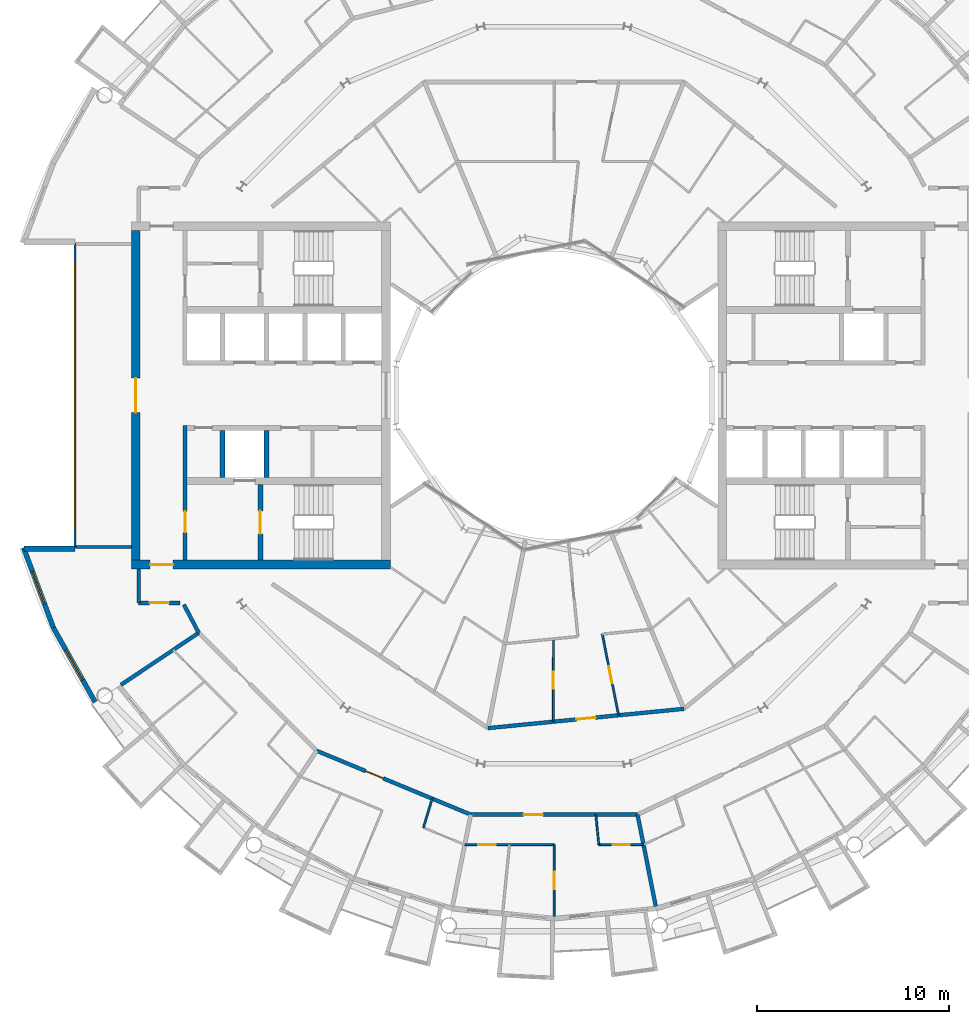
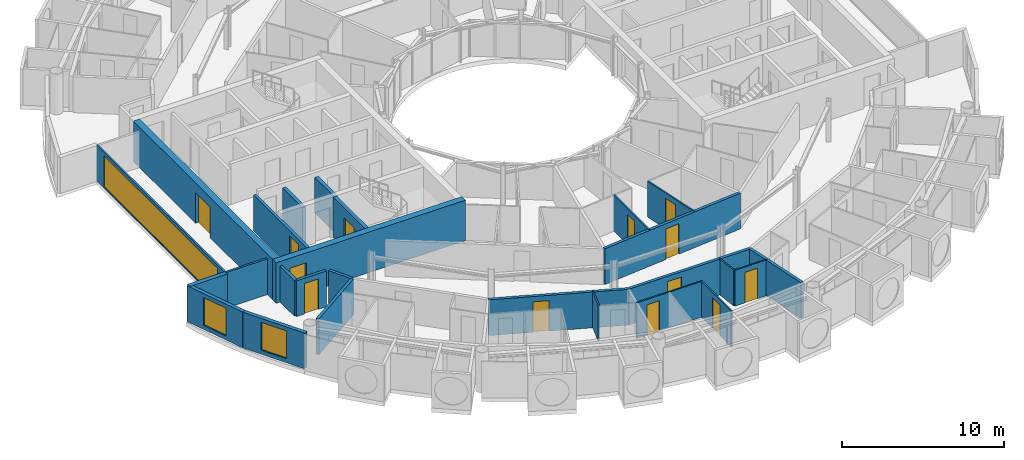
# One storey, part 16 of 29: 26 walls, 13 doors, 3 windows, 16 openings.
"""IFC4 building model written with IfcOpenShell, lengths in metres."""

from ifc_helpers import new_model, si_unit, direction, frame, frame_2d, origin, place, context, subcontext, project, spatial, rectangle, extrude, material, layer, layer_set, type_object, element, fill, save


model = new_model("IFC4")

# Units and contexts
model_context = context("Model", 3, precision=1e-05, world=origin(), true_north=direction((0.0, 1.0)))
body_context = subcontext(model_context, "Body", "Model", "MODEL_VIEW")
ifc_project = project(units=[si_unit("LENGTHUNIT", "METRE"), si_unit("AREAUNIT", "SQUARE_METRE"), si_unit("VOLUMEUNIT", "CUBIC_METRE"), si_unit("PLANEANGLEUNIT", "RADIAN"), si_unit("MASSUNIT", "GRAM", prefix="KILO")], contexts=[model_context])

# Site, building, storey
site_placement = place(None, origin())
site = spatial("IfcSite", under=ifc_project, at=site_placement, CompositionType="ELEMENT")
building_placement = place(site_placement, origin())
building = spatial("IfcBuilding", under=site, at=building_placement, Name="Maasbend Ring Residences", CompositionType="ELEMENT")
storey_placement = place(building_placement, frame((0.0, 0.0, 215.75)))
storey = spatial("IfcBuildingStorey", under=building, at=storey_placement, Name="L62", CompositionType="ELEMENT", Elevation=215.75)

# Wall, opening, door
ifc_material_1 = material(Name="Concrete C50/60", Category="concrete")
ifc_layer_1 = layer(ifc_material_1, 0.25)
ifc_layer_set_1 = layer_set([ifc_layer_1], Name="Concrete C50/60")
wall_type_1 = type_object("IfcWallType", Name="CORE WALL 250 C50/60", PredefinedType="SHEAR", material=ifc_layer_set_1)
wall_1_placement = place(storey_placement, frame((-15.324951171875, -4.64990234375, 0.0), z_axis=(0.0, 0.0, 1.0), x_axis=(0.0, -1.0, 0.0)))
wall_1 = element("IfcWall", 1, at=wall_1_placement, inside=storey, type_object=wall_type_1, Name="L62 core W wall STEN", PredefinedType="SHEAR", context=body_context, shape_type="SweptSolid", body=[
    extrude(rectangle(XDim=3.9501953125, YDim=0.25, at=frame_2d((1.97509765625, 0.0))), origin(), (0.0, 0.0, 1.0), 3.050048828125),
])
opening_1_placement = place(wall_1_placement, frame((1.375, 0.0, 0.0)))
opening_1 = element("IfcOpeningElement", 2, at=opening_1_placement, cuts=wall_1, Name="Opening D-W6210", PredefinedType="OPENING", context=body_context, shape_type="SweptSolid", body=[
    extrude(rectangle(XDim=1.199951171875, YDim=2.300048828125, at=frame_2d((0.60009765625, 1.14990234375))), frame((0.0, 0.135009765625, 0.0), z_axis=(0.0, -1.0, 0.0), x_axis=(1.0, 0.0, 0.0)), (0.0, 0.0, 1.0), 0.27001953125),
])
ifc_material_2 = material(Name="Steel, powder coated", Category="steel")
door_type_1 = type_object("IfcDoorType", Name="STAIR DOOR 1200 X 2300 FD60", OperationType="NOTDEFINED", PredefinedType="DOOR", material=ifc_material_2)
door_1_placement = place(opening_1_placement, origin())
door_1 = element("IfcDoor", 3, at=door_1_placement, inside=storey, type_object=door_type_1, Name="Stair door ST-W L62", OperationType="SINGLE_SWING_LEFT", OverallHeight=2.300048828125, OverallWidth=1.199951171875, PredefinedType="DOOR", context=body_context, shape_type="SweptSolid", body=[
    extrude(rectangle(XDim=1.199951171875, YDim=2.300048828125, at=frame_2d((0.60009765625, 1.14990234375))), frame((0.0, 0.02490234375, 0.0), z_axis=(0.0, -1.0, 0.0), x_axis=(1.0, 0.0, 0.0)), (0.0, 0.0, 1.0), 0.050048828125),
])
fill(opening_1, door_1)

ifc_material_3 = material(Name="Concrete C50/60", Category="concrete")
ifc_layer_2 = layer(ifc_material_3, 0.449951171875)
ifc_layer_set_2 = layer_set([ifc_layer_2], Name="Concrete C50/60")
wall_type_2 = type_object("IfcWallType", Name="CORE WALL 450 C50/60", PredefinedType="SHEAR", material=ifc_layer_set_2)
wall_2_placement = place(storey_placement, frame((-22.050048828125, -8.824951171875, 0.0), z_axis=(0.0, 0.0, 1.0), x_axis=(1.0, 0.0, 0.0)))
wall_2 = element("IfcWall", 4, at=wall_2_placement, inside=storey, type_object=wall_type_2, Name="L62 core W wall PN", PredefinedType="SHEAR", context=body_context, shape_type="SweptSolid", body=[
    extrude(rectangle(XDim=13.5, YDim=0.449951171875, at=frame_2d((6.75, 0.0))), origin(), (0.0, 0.0, 1.0), 3.050048828125),
])
opening_2_placement = place(wall_2_placement, frame((0.97509765625, 0.0, 0.0)))
opening_2 = element("IfcOpeningElement", 5, at=opening_2_placement, cuts=wall_2, Name="Opening D-W6214", PredefinedType="OPENING", context=body_context, shape_type="SweptSolid", body=[
    extrude(rectangle(XDim=1.199951171875, YDim=2.300048828125, at=frame_2d((0.60009765625, 1.14990234375))), frame((0.0, 0.23486328125, 0.0), z_axis=(0.0, -1.0, 0.0), x_axis=(1.0, 0.0, 0.0)), (0.0, 0.0, 1.0), 0.469970703125),
])
ifc_material_4 = material(Name="Steel, powder coated", Category="steel")
door_type_2 = type_object("IfcDoorType", Name="CORRIDOR DOOR 1200 X 2300 FD30S", OperationType="NOTDEFINED", PredefinedType="DOOR", material=ifc_material_4)
door_2_placement = place(opening_2_placement, origin())
door_2 = element("IfcDoor", 6, at=door_2_placement, inside=storey, type_object=door_type_2, Name="Corridor door L62", OperationType="SINGLE_SWING_RIGHT", OverallHeight=2.300048828125, OverallWidth=1.199951171875, PredefinedType="DOOR", context=body_context, shape_type="SweptSolid", body=[
    extrude(rectangle(XDim=1.199951171875, YDim=2.300048828125, at=frame_2d((0.60009765625, 1.14990234375))), frame((0.0, 0.02490234375, 0.0), z_axis=(0.0, -1.0, 0.0), x_axis=(1.0, 0.0, 0.0)), (0.0, 0.0, 1.0), 0.050048828125),
])
fill(opening_2, door_2)

wall_3_placement = place(storey_placement, frame((-21.824951171875, -8.60009765625, 0.0), z_axis=(0.0, 0.0, 1.0), x_axis=(0.0, 1.0, 0.0)))
wall_3 = element("IfcWall", 7, at=wall_3_placement, inside=storey, type_object=wall_type_2, Name="L62 core W wall POUT", PredefinedType="SHEAR", context=body_context, shape_type="SweptSolid", body=[
    extrude(rectangle(XDim=17.2001953125, YDim=0.449951171875, at=frame_2d((8.60009765625, 0.0))), origin(), (0.0, 0.0, 1.0), 3.050048828125),
])
opening_3_placement = place(wall_3_placement, frame((7.699951171875, 0.0, 0.0)))
opening_3 = element("IfcOpeningElement", 8, at=opening_3_placement, cuts=wall_3, Name="Opening D-W6216", PredefinedType="OPENING", context=body_context, shape_type="SweptSolid", body=[
    extrude(rectangle(XDim=1.800048828125, YDim=2.300048828125, at=frame_2d((0.89990234375, 1.14990234375))), frame((0.0, 0.23486328125, 0.0), z_axis=(0.0, -1.0, 0.0), x_axis=(1.0, 0.0, 0.0)), (0.0, 0.0, 1.0), 0.469970703125),
])
ifc_material_5 = material(Name="Aluminium frame, clear glass", Category="aluminium")
door_type_3 = type_object("IfcDoorType", Name="ENTRANCE DOOR 1800 X 2300 FD60", OperationType="NOTDEFINED", PredefinedType="DOOR", material=ifc_material_5)
door_3_placement = place(opening_3_placement, origin())
door_3 = element("IfcDoor", 9, at=door_3_placement, inside=storey, type_object=door_type_3, Name="Lobby glazed door L62", OperationType="SINGLE_SWING_LEFT", OverallHeight=2.300048828125, OverallWidth=1.800048828125, PredefinedType="DOOR", context=body_context, shape_type="SweptSolid", body=[
    extrude(rectangle(XDim=1.800048828125, YDim=2.300048828125, at=frame_2d((0.89990234375, 1.14990234375))), frame((0.0, 0.02490234375, 0.0), z_axis=(0.0, -1.0, 0.0), x_axis=(1.0, 0.0, 0.0)), (0.0, 0.0, 1.0), 0.050048828125),
])
fill(opening_3, door_3)

# Wall
ifc_material_6 = material(Name="Concrete C30/37", Category="concrete")
ifc_layer_3 = layer(ifc_material_6, 0.199951171875)
ifc_layer_set_3 = layer_set([ifc_layer_3], Name="Concrete C30/37")
wall_type_3 = type_object("IfcWallType", Name="CORRIDOR WALL 200 CONCRETE", PredefinedType="PARTITIONING", material=ifc_layer_set_3)
wall_4_placement = place(storey_placement, frame((-19.31689453125, -10.9150390625, 0.0), z_axis=(0.0, 0.0, 1.0), x_axis=(0.465359652486, -0.885121683068, 0.0)))
element("IfcWall", 10, at=wall_4_placement, inside=storey, type_object=wall_type_3, Name="U-L62-w011", PredefinedType="PARTITIONING", context=body_context, shape_type="SweptSolid", body=[
    extrude(rectangle(XDim=1.665283203125, YDim=0.199951171875, at=frame_2d((0.83251953125, 0.0))), origin(), (0.0, 0.0, 1.0), 2.699951171875),
])

# Wall, opening, door
wall_5_placement = place(storey_placement, frame((-12.388916015625, -18.5419921875, 0.0), z_axis=(0.0, 0.0, 1.0), x_axis=(0.923867858178, -0.382711615483, 0.0)))
wall_5 = element("IfcWall", 11, at=wall_5_placement, inside=storey, type_object=wall_type_3, Name="U-L62-w015", PredefinedType="PARTITIONING", context=body_context, shape_type="SweptSolid", body=[
    extrude(rectangle(XDim=8.708984375, YDim=0.199951171875, at=frame_2d((4.3544921875, 0.0))), origin(), (0.0, 0.0, 1.0), 2.699951171875),
])
opening_4_placement = place(wall_5_placement, frame((2.762939453125, 0.0, 0.0)))
opening_4 = element("IfcOpeningElement", 12, at=opening_4_placement, cuts=wall_5, Name="Opening D-6239", PredefinedType="OPENING", context=body_context, shape_type="SweptSolid", body=[
    extrude(rectangle(XDim=1.0, YDim=2.300048828125, at=frame_2d((0.5, 1.14990234375))), frame((0.0, 0.10986328125, 0.0), z_axis=(0.0, -1.0, 0.0), x_axis=(1.0, 0.0, 0.0)), (0.0, 0.0, 1.0), 0.219970703125),
])
ifc_material_7 = material(Name="Timber, fire-rated, painted", Category="wood")
door_type_4 = type_object("IfcDoorType", Name="FLAT ENTRANCE DOOR 1000 X 2300 FIRE-RATED", OperationType="NOTDEFINED", PredefinedType="DOOR", material=ifc_material_7)
door_4_placement = place(opening_4_placement, origin())
door_4 = element("IfcDoor", 13, at=door_4_placement, inside=storey, type_object=door_type_4, Name="D-6239", OperationType="SINGLE_SWING_LEFT", OverallHeight=2.300048828125, OverallWidth=1.0, PredefinedType="DOOR", context=body_context, shape_type="SweptSolid", body=[
    extrude(rectangle(XDim=1.0, YDim=2.300048828125, at=frame_2d((0.5, 1.14990234375))), frame((0.0, 0.02490234375, 0.0), z_axis=(0.0, -1.0, 0.0), x_axis=(1.0, 0.0, 0.0)), (0.0, 0.0, 1.0), 0.050048828125),
])
fill(opening_4, door_4)

wall_6_placement = place(storey_placement, frame((-4.35107421875, -21.8720703125, 0.0), z_axis=(0.0, 0.0, 1.0), x_axis=(1.0, 0.0, 0.0)))
wall_6 = element("IfcWall", 14, at=wall_6_placement, inside=storey, type_object=wall_type_3, Name="U-L62-w016", PredefinedType="PARTITIONING", context=body_context, shape_type="SweptSolid", body=[
    extrude(rectangle(XDim=8.7021484375, YDim=0.199951171875, at=frame_2d((4.35107421875, 0.0))), origin(), (0.0, 0.0, 1.0), 2.699951171875),
])
opening_5_placement = place(wall_6_placement, frame((2.762939453125, 0.0, 0.0)))
opening_5 = element("IfcOpeningElement", 15, at=opening_5_placement, cuts=wall_6, Name="Opening D-6243", PredefinedType="OPENING", context=body_context, shape_type="SweptSolid", body=[
    extrude(rectangle(XDim=1.0, YDim=2.300048828125, at=frame_2d((0.5, 1.14990234375))), frame((0.0, 0.10986328125, 0.0), z_axis=(0.0, -1.0, 0.0), x_axis=(1.0, 0.0, 0.0)), (0.0, 0.0, 1.0), 0.219970703125),
])
door_5_placement = place(opening_5_placement, origin())
door_5 = element("IfcDoor", 16, at=door_5_placement, inside=storey, type_object=door_type_4, Name="D-6243", OperationType="SINGLE_SWING_LEFT", OverallHeight=2.300048828125, OverallWidth=1.0, PredefinedType="DOOR", context=body_context, shape_type="SweptSolid", body=[
    extrude(rectangle(XDim=1.0, YDim=2.300048828125, at=frame_2d((0.5, 1.14990234375))), frame((0.0, 0.02490234375, 0.0), z_axis=(0.0, -1.0, 0.0), x_axis=(1.0, 0.0, 0.0)), (0.0, 0.0, 1.0), 0.050048828125),
])
fill(opening_5, door_5)

wall_7_placement = place(storey_placement, frame((-3.4541015625, -17.360107421875, 0.0), z_axis=(0.0, 0.0, 1.0), x_axis=(0.995189328429, 0.097970406658, 0.0)))
wall_7 = element("IfcWall", 17, at=wall_7_placement, inside=storey, type_object=wall_type_3, Name="U-L62-w020", PredefinedType="PARTITIONING", context=body_context, shape_type="SweptSolid", body=[
    extrude(rectangle(XDim=10.279541015625, YDim=0.199951171875, at=frame_2d((5.1396484375, 0.0))), origin(), (0.0, 0.0, 1.0), 2.699951171875),
])
opening_6_placement = place(wall_7_placement, frame((4.638916015625, 0.0, 0.0)))
opening_6 = element("IfcOpeningElement", 18, at=opening_6_placement, cuts=wall_7, Name="Opening D-6260", PredefinedType="OPENING", context=body_context, shape_type="SweptSolid", body=[
    extrude(rectangle(XDim=1.0, YDim=2.300048828125, at=frame_2d((0.5, 1.14990234375))), frame((0.0, 0.10986328125, 0.0), z_axis=(0.0, -1.0, 0.0), x_axis=(1.0, 0.0, 0.0)), (0.0, 0.0, 1.0), 0.219970703125),
])
door_6_placement = place(opening_6_placement, origin())
door_6 = element("IfcDoor", 19, at=door_6_placement, inside=storey, type_object=door_type_4, Name="D-6260", OperationType="SINGLE_SWING_LEFT", OverallHeight=2.300048828125, OverallWidth=1.0, PredefinedType="DOOR", context=body_context, shape_type="SweptSolid", body=[
    extrude(rectangle(XDim=1.0, YDim=2.300048828125, at=frame_2d((0.5, 1.14990234375))), frame((0.0, 0.02490234375, 0.0), z_axis=(0.0, -1.0, 0.0), x_axis=(1.0, 0.0, 0.0)), (0.0, 0.0, 1.0), 0.050048828125),
])
fill(opening_6, door_6)

wall_8_placement = place(storey_placement, frame((-21.675048828125, -10.824951171875, 0.0), z_axis=(0.0, 0.0, 1.0), x_axis=(1.0, 0.0, 0.0)))
wall_8 = element("IfcWall", 20, at=wall_8_placement, inside=storey, type_object=wall_type_3, Name="U-L62-w029", PredefinedType="PARTITIONING", context=body_context, shape_type="SweptSolid", body=[
    extrude(rectangle(XDim=2.152099609375, YDim=0.199951171875, at=frame_2d((1.076171875, 0.0))), origin(), (0.0, 0.0, 1.0), 2.699951171875),
])
opening_7_placement = place(wall_8_placement, frame((0.575927734375, 0.0, 0.0)))
opening_7 = element("IfcOpeningElement", 21, at=opening_7_placement, cuts=wall_8, Name="Opening D-6268", PredefinedType="OPENING", context=body_context, shape_type="SweptSolid", body=[
    extrude(rectangle(XDim=1.0, YDim=2.300048828125, at=frame_2d((0.5, 1.14990234375))), frame((0.0, 0.10986328125, 0.0), z_axis=(0.0, -1.0, 0.0), x_axis=(1.0, 0.0, 0.0)), (0.0, 0.0, 1.0), 0.219970703125),
])
ifc_material_8 = material(Name="Timber, painted", Category="wood")
door_type_5 = type_object("IfcDoorType", Name="ROOM DOOR 1000 X 2300", OperationType="NOTDEFINED", PredefinedType="DOOR", material=ifc_material_8)
door_7_placement = place(opening_7_placement, origin())
door_7 = element("IfcDoor", 22, at=door_7_placement, inside=storey, type_object=door_type_5, Name="D-6268", OperationType="SINGLE_SWING_LEFT", OverallHeight=2.300048828125, OverallWidth=1.0, PredefinedType="DOOR", context=body_context, shape_type="SweptSolid", body=[
    extrude(rectangle(XDim=1.0, YDim=2.300048828125, at=frame_2d((0.5, 1.14990234375))), frame((0.0, 0.02490234375, 0.0), z_axis=(0.0, -1.0, 0.0), x_axis=(1.0, 0.0, 0.0)), (0.0, 0.0, 1.0), 0.050048828125),
])
fill(opening_7, door_7)

# Wall
wall_9_placement = place(storey_placement, frame((-21.675048828125, -10.824951171875, 0.0), z_axis=(0.0, 0.0, 1.0), x_axis=(0.0, 1.0, 0.0)))
element("IfcWall", 23, at=wall_9_placement, inside=storey, type_object=wall_type_3, Name="U-L62-w112", PredefinedType="PARTITIONING", context=body_context, shape_type="SweptSolid", body=[
    extrude(rectangle(XDim=1.77490234375, YDim=0.199951171875, at=frame_2d((0.887451171875, 0.0))), origin(), (0.0, 0.0, 1.0), 2.699951171875),
])

# Wall, opening, window
ifc_material_9 = material(Name="Aluminium clad insulated panel", Category="aluminium")
ifc_layer_4 = layer(ifc_material_9, 0.25)
ifc_layer_set_4 = layer_set([ifc_layer_4], Name="EW-HORN")
wall_type_4 = type_object("IfcWallType", Name="EW-HORN", PredefinedType="SOLIDWALL", material=ifc_layer_set_4)
wall_10_placement = place(storey_placement, frame((-27.681884765625, -7.945068359375, 0.0), z_axis=(0.0, 0.0, 1.0), x_axis=(0.349247811493, -0.937030397675, 0.0)))
wall_10 = element("IfcWall", 24, at=wall_10_placement, inside=storey, type_object=wall_type_4, Name="Horn wall 3.1", PredefinedType="SOLIDWALL", context=body_context, shape_type="SweptSolid", body=[
    extrude(rectangle(XDim=4.4521484375, YDim=0.25, at=frame_2d((2.22607421875, 0.0))), origin(), (0.0, 0.0, 1.0), 2.699951171875),
])
opening_8_placement = place(wall_10_placement, frame((1.32666015625, 0.0, 0.300048828125)))
opening_8 = element("IfcOpeningElement", 25, at=opening_8_placement, cuts=wall_10, Name="Opening W-BX", PredefinedType="OPENING", context=body_context, shape_type="SweptSolid", body=[
    extrude(rectangle(XDim=1.800048828125, YDim=2.10009765625, at=frame_2d((0.89990234375, 1.050048828125))), frame((0.0, 0.135009765625, 0.0), z_axis=(0.0, -1.0, 0.0), x_axis=(1.0, 0.0, 0.0)), (0.0, 0.0, 1.0), 0.27001953125),
])
ifc_material_10 = material(Name="Aluminium and clear glass", Category="aluminium")
window_type_1 = type_object("IfcWindowType", Name="W-BX", PartitioningType="DOUBLE_PANEL_VERTICAL", PredefinedType="WINDOW", material=ifc_material_10)
window_1_placement = place(opening_8_placement, origin())
window_1 = element("IfcWindow", 26, at=window_1_placement, inside=storey, type_object=window_type_1, Name="Horn window 3.1", OverallHeight=2.10009765625, OverallWidth=1.800048828125, PartitioningType="SINGLE_PANEL", PredefinedType="WINDOW", context=body_context, shape_type="SweptSolid", body=[
    extrude(rectangle(XDim=1.800048828125, YDim=2.10009765625, at=frame_2d((0.89990234375, 1.050048828125))), frame((0.0, 0.030029296875, 0.0), z_axis=(0.0, -1.0, 0.0), x_axis=(1.0, 0.0, 0.0)), (0.0, 0.0, 1.0), 0.06005859375),
])
fill(opening_8, window_1)

wall_11_placement = place(storey_placement, frame((-26.126953125, -12.116943359375, 0.0), z_axis=(0.0, 0.0, 1.0), x_axis=(0.489696356642, -0.871893042919, 0.0)))
wall_11 = element("IfcWall", 27, at=wall_11_placement, inside=storey, type_object=wall_type_4, Name="Horn wall 3.2", PredefinedType="SOLIDWALL", context=body_context, shape_type="SweptSolid", body=[
    extrude(rectangle(XDim=4.45361328125, YDim=0.25, at=frame_2d((2.226806640625, 0.0))), origin(), (0.0, 0.0, 1.0), 2.699951171875),
])
opening_9_placement = place(wall_11_placement, frame((1.32666015625, 0.0, 0.300048828125)))
opening_9 = element("IfcOpeningElement", 28, at=opening_9_placement, cuts=wall_11, Name="Opening W-BX", PredefinedType="OPENING", context=body_context, shape_type="SweptSolid", body=[
    extrude(rectangle(XDim=1.800048828125, YDim=2.10009765625, at=frame_2d((0.89990234375, 1.050048828125))), frame((0.0, 0.135009765625, 0.0), z_axis=(0.0, -1.0, 0.0), x_axis=(1.0, 0.0, 0.0)), (0.0, 0.0, 1.0), 0.27001953125),
])
window_2_placement = place(opening_9_placement, origin())
window_2 = element("IfcWindow", 29, at=window_2_placement, inside=storey, type_object=window_type_1, Name="Horn window 3.2", OverallHeight=2.10009765625, OverallWidth=1.800048828125, PartitioningType="SINGLE_PANEL", PredefinedType="WINDOW", context=body_context, shape_type="SweptSolid", body=[
    extrude(rectangle(XDim=1.800048828125, YDim=2.10009765625, at=frame_2d((0.89990234375, 1.050048828125))), frame((0.0, 0.030029296875, 0.0), z_axis=(0.0, -1.0, 0.0), x_axis=(1.0, 0.0, 0.0)), (0.0, 0.0, 1.0), 0.06005859375),
])
fill(opening_9, window_2)

# Wall
ifc_material_11 = material(Name="Aluminium clad insulated panel", Category="aluminium")
ifc_layer_5 = layer(ifc_material_11, 0.300048828125)
ifc_layer_set_5 = layer_set([ifc_layer_5], Name="EW-RET")
wall_type_5 = type_object("IfcWallType", Name="EW-RET", PredefinedType="SOLIDWALL", material=ifc_layer_set_5)
wall_12_placement = place(storey_placement, frame((-25.0, -8.0, 0.0), z_axis=(0.0, 0.0, 1.0), x_axis=(-1.0, 0.0, 0.0)))
element("IfcWall", 30, at=wall_12_placement, inside=storey, type_object=wall_type_5, Name="Notch return wall west south", PredefinedType="SOLIDWALL", context=body_context, shape_type="SweptSolid", body=[
    extrude(rectangle(XDim=2.6669921875, YDim=0.300048828125, at=frame_2d((1.33349609375, 0.0))), origin(), (0.0, 0.0, 1.0), 2.699951171875),
])

# Wall, opening, window
ifc_material_12 = material(Name="Aluminium frame and clear glass", Category="aluminium")
ifc_layer_6 = layer(ifc_material_12, 0.1201171875)
ifc_layer_set_6 = layer_set([ifc_layer_6], Name="GLAZED SCREEN WALL 120 EI 60")
wall_type_6 = type_object("IfcWallType", Name="GLAZED SCREEN WALL 120 EI 60", PredefinedType="PARTITIONING", material=ifc_layer_set_6)
wall_13_placement = place(storey_placement, frame((-25.0, 7.949951171875, 0.0), z_axis=(0.0, 0.0, 1.0), x_axis=(0.0, -1.0, 0.0)))
wall_13 = element("IfcWall", 31, at=wall_13_placement, inside=storey, type_object=wall_type_6, Name="L62 core W wall FACE", PredefinedType="PARTITIONING", context=body_context, shape_type="SweptSolid", body=[
    extrude(rectangle(XDim=15.89990234375, YDim=0.1201171875, at=frame_2d((7.949951171875, 0.0))), origin(), (0.0, 0.0, 1.0), 2.699951171875),
])
opening_10_placement = place(wall_13_placement, frame((0.949951171875, 0.0, 0.10009765625)))
opening_10 = element("IfcOpeningElement", 32, at=opening_10_placement, cuts=wall_13, Name="Opening W-W6202", PredefinedType="OPENING", context=body_context, shape_type="SweptSolid", body=[
    extrude(rectangle(XDim=14.0, YDim=2.35009765625, at=frame_2d((7.0, 1.175048828125))), frame((0.0, 0.070068359375, 0.0), z_axis=(0.0, -1.0, 0.0), x_axis=(1.0, 0.0, 0.0)), (0.0, 0.0, 1.0), 0.14013671875),
])
ifc_material_13 = material(Name="Aluminium frame and clear glass", Category="aluminium")
window_type_2 = type_object("IfcWindowType", Name="FIXED WINDOW 14000 X 2350", PartitioningType="SINGLE_PANEL", PredefinedType="WINDOW", material=ifc_material_13)
window_3_placement = place(opening_10_placement, origin())
window_3 = element("IfcWindow", 33, at=window_3_placement, inside=storey, type_object=window_type_2, Name="Lobby window L62", OverallHeight=2.35009765625, OverallWidth=14.0, PartitioningType="SINGLE_PANEL", PredefinedType="WINDOW", context=body_context, shape_type="SweptSolid", body=[
    extrude(rectangle(XDim=14.0, YDim=2.35009765625, at=frame_2d((7.0, 1.175048828125))), frame((0.0, 0.030029296875, 0.0), z_axis=(0.0, -1.0, 0.0), x_axis=(1.0, 0.0, 0.0)), (0.0, 0.0, 1.0), 0.06005859375),
])
fill(opening_10, window_3)

# Wall, opening, door
ifc_material_14 = material(Name="Gypsum board on steel studs", Category="steel")
ifc_layer_7 = layer(ifc_material_14, 0.10009765625)
ifc_layer_set_7 = layer_set([ifc_layer_7], Name="PARTITION 100 GYPSUM")
wall_type_7 = type_object("IfcWallType", Name="PARTITION 100 GYPSUM", PredefinedType="PARTITIONING", material=ifc_layer_set_7)
wall_14_placement = place(storey_placement, frame((-4.6630859375, -23.44091796875, 0.0), z_axis=(0.0, 0.0, 1.0), x_axis=(1.0, 0.0, 0.0)))
wall_14 = element("IfcWall", 34, at=wall_14_placement, inside=storey, type_object=wall_type_7, Name="U-L62-w007", PredefinedType="PARTITIONING", context=body_context, shape_type="SweptSolid", body=[
    extrude(rectangle(XDim=4.6630859375, YDim=0.10009765625, at=frame_2d((2.33154296875, 0.0))), origin(), (0.0, 0.0, 1.0), 2.699951171875),
])
opening_11_placement = place(wall_14_placement, frame((0.716064453125, 0.0, 0.0)))
opening_11 = element("IfcOpeningElement", 35, at=opening_11_placement, cuts=wall_14, Name="Opening D-6246", PredefinedType="OPENING", context=body_context, shape_type="SweptSolid", body=[
    extrude(rectangle(XDim=0.89990234375, YDim=2.300048828125, at=frame_2d((0.449951171875, 1.14990234375))), frame((0.0, 0.06005859375, 0.0), z_axis=(0.0, -1.0, 0.0), x_axis=(1.0, 0.0, 0.0)), (0.0, 0.0, 1.0), 0.1201171875),
])
ifc_material_15 = material(Name="Timber, painted", Category="wood")
door_type_6 = type_object("IfcDoorType", Name="INTERNAL DOOR 900 X 2300", OperationType="NOTDEFINED", PredefinedType="DOOR", material=ifc_material_15)
door_8_placement = place(opening_11_placement, origin())
door_8 = element("IfcDoor", 36, at=door_8_placement, inside=storey, type_object=door_type_6, Name="D-6246", OperationType="SINGLE_SWING_LEFT", OverallHeight=2.300048828125, OverallWidth=0.89990234375, PredefinedType="DOOR", context=body_context, shape_type="SweptSolid", body=[
    extrude(rectangle(XDim=0.89990234375, YDim=2.300048828125, at=frame_2d((0.449951171875, 1.14990234375))), frame((0.0, 0.02490234375, 0.0), z_axis=(0.0, -1.0, 0.0), x_axis=(1.0, 0.0, 0.0)), (0.0, 0.0, 1.0), 0.050048828125),
])
fill(opening_11, door_8)

wall_15_placement = place(storey_placement, frame((2.3310546875, -23.44091796875, 0.0), z_axis=(0.0, 0.0, 1.0), x_axis=(1.0, 0.0, 0.0)))
wall_15 = element("IfcWall", 37, at=wall_15_placement, inside=storey, type_object=wall_type_7, Name="U-L62-w008", PredefinedType="PARTITIONING", context=body_context, shape_type="SweptSolid", body=[
    extrude(rectangle(XDim=2.33203125, YDim=0.10009765625, at=frame_2d((1.166015625, 0.0))), origin(), (0.0, 0.0, 1.0), 2.699951171875),
])
opening_12_placement = place(wall_15_placement, frame((0.716064453125, 0.0, 0.0)))
opening_12 = element("IfcOpeningElement", 38, at=opening_12_placement, cuts=wall_15, Name="Opening D-6244", PredefinedType="OPENING", context=body_context, shape_type="SweptSolid", body=[
    extrude(rectangle(XDim=0.89990234375, YDim=2.300048828125, at=frame_2d((0.449951171875, 1.14990234375))), frame((0.0, 0.06005859375, 0.0), z_axis=(0.0, -1.0, 0.0), x_axis=(1.0, 0.0, 0.0)), (0.0, 0.0, 1.0), 0.1201171875),
])
door_9_placement = place(opening_12_placement, origin())
door_9 = element("IfcDoor", 39, at=door_9_placement, inside=storey, type_object=door_type_6, Name="D-6244", OperationType="SINGLE_SWING_LEFT", OverallHeight=2.300048828125, OverallWidth=0.89990234375, PredefinedType="DOOR", context=body_context, shape_type="SweptSolid", body=[
    extrude(rectangle(XDim=0.89990234375, YDim=2.300048828125, at=frame_2d((0.449951171875, 1.14990234375))), frame((0.0, 0.02490234375, 0.0), z_axis=(0.0, -1.0, 0.0), x_axis=(1.0, 0.0, 0.0)), (0.0, 0.0, 1.0), 0.050048828125),
])
fill(opening_12, door_9)

# Wall
wall_16_placement = place(storey_placement, frame((-6.81689453125, -22.549072265625, 0.0), z_axis=(0.0, 0.0, 1.0), x_axis=(0.289547780579, 0.957163561134, 0.0)))
element("IfcWall", 40, at=wall_16_placement, inside=storey, type_object=wall_type_7, Name="U-L62-w035", PredefinedType="PARTITIONING", context=body_context, shape_type="SweptSolid", body=[
    extrude(rectangle(XDim=1.57763671875, YDim=0.10009765625, at=frame_2d((0.788818359375, 0.0))), origin(), (0.0, 0.0, 1.0), 2.699951171875),
])

# Wall, opening, door
wall_17_placement = place(storey_placement, frame((-0.0439453125, -17.02392578125, 0.0), z_axis=(0.0, 0.0, 1.0), x_axis=(0.002543801832, 0.999996764531, 0.0)))
wall_17 = element("IfcWall", 41, at=wall_17_placement, inside=storey, type_object=wall_type_7, Name="U-L62-w063", PredefinedType="PARTITIONING", context=body_context, shape_type="SweptSolid", body=[
    extrude(rectangle(XDim=4.31884765625, YDim=0.10009765625, at=frame_2d((2.159423828125, 0.0))), origin(), (0.0, 0.0, 1.0), 2.699951171875),
])
opening_13_placement = place(wall_17_placement, frame((1.7099609375, 0.0, 0.0)))
opening_13 = element("IfcOpeningElement", 42, at=opening_13_placement, cuts=wall_17, Name="Opening D-6262", PredefinedType="OPENING", context=body_context, shape_type="SweptSolid", body=[
    extrude(rectangle(XDim=0.89990234375, YDim=2.300048828125, at=frame_2d((0.449951171875, 1.14990234375))), frame((0.0, 0.06005859375, 0.0), z_axis=(0.0, -1.0, 0.0), x_axis=(1.0, 0.0, 0.0)), (0.0, 0.0, 1.0), 0.1201171875),
])
door_10_placement = place(opening_13_placement, origin())
door_10 = element("IfcDoor", 43, at=door_10_placement, inside=storey, type_object=door_type_6, Name="D-6262", OperationType="SINGLE_SWING_LEFT", OverallHeight=2.300048828125, OverallWidth=0.89990234375, PredefinedType="DOOR", context=body_context, shape_type="SweptSolid", body=[
    extrude(rectangle(XDim=0.89990234375, YDim=2.300048828125, at=frame_2d((0.449951171875, 1.14990234375))), frame((0.0, 0.02490234375, 0.0), z_axis=(0.0, -1.0, 0.0), x_axis=(1.0, 0.0, 0.0)), (0.0, 0.0, 1.0), 0.050048828125),
])
fill(opening_13, door_10)

wall_18_placement = place(storey_placement, frame((0.0, -27.175048828125, 0.0), z_axis=(0.0, 0.0, 1.0), x_axis=(0.0, 1.0, 0.0)))
wall_18 = element("IfcWall", 44, at=wall_18_placement, inside=storey, type_object=wall_type_7, Name="U-L62-w064", PredefinedType="PARTITIONING", context=body_context, shape_type="SweptSolid", body=[
    extrude(rectangle(XDim=3.734130859375, YDim=0.10009765625, at=frame_2d((1.8671875, 0.0))), origin(), (0.0, 0.0, 1.0), 2.699951171875),
])
opening_14_placement = place(wall_18_placement, frame((1.4169921875, 0.0, 0.0)))
opening_14 = element("IfcOpeningElement", 45, at=opening_14_placement, cuts=wall_18, Name="Opening D-6245", PredefinedType="OPENING", context=body_context, shape_type="SweptSolid", body=[
    extrude(rectangle(XDim=0.89990234375, YDim=2.300048828125, at=frame_2d((0.449951171875, 1.14990234375))), frame((0.0, 0.06005859375, 0.0), z_axis=(0.0, -1.0, 0.0), x_axis=(1.0, 0.0, 0.0)), (0.0, 0.0, 1.0), 0.1201171875),
])
door_11_placement = place(opening_14_placement, origin())
door_11 = element("IfcDoor", 46, at=door_11_placement, inside=storey, type_object=door_type_6, Name="D-6245", OperationType="SINGLE_SWING_RIGHT", OverallHeight=2.300048828125, OverallWidth=0.89990234375, PredefinedType="DOOR", context=body_context, shape_type="SweptSolid", body=[
    extrude(rectangle(XDim=0.89990234375, YDim=2.300048828125, at=frame_2d((0.449951171875, 1.14990234375))), frame((0.0, 0.02490234375, 0.0), z_axis=(0.0, -1.0, 0.0), x_axis=(1.0, 0.0, 0.0)), (0.0, 0.0, 1.0), 0.050048828125),
])
fill(opening_14, door_11)

# Wall
wall_19_placement = place(storey_placement, frame((2.175048828125, -21.8720703125, 0.0), z_axis=(0.0, 0.0, 1.0), x_axis=(0.098951748623, -0.995092232632, 0.0)))
element("IfcWall", 47, at=wall_19_placement, inside=storey, type_object=wall_type_7, Name="U-L62-w070", PredefinedType="PARTITIONING", context=body_context, shape_type="SweptSolid", body=[
    extrude(rectangle(XDim=1.57666015625, YDim=0.10009765625, at=frame_2d((0.788330078125, 0.0))), origin(), (0.0, 0.0, 1.0), 2.699951171875),
])

# Wall, opening, door
wall_20_placement = place(storey_placement, frame((2.510986328125, -12.4541015625, 0.0), z_axis=(0.0, 0.0, 1.0), x_axis=(0.197724661373, -0.980257597923, 0.0)))
wall_20 = element("IfcWall", 48, at=wall_20_placement, inside=storey, type_object=wall_type_7, Name="U-L62-w071", PredefinedType="PARTITIONING", context=body_context, shape_type="SweptSolid", body=[
    extrude(rectangle(XDim=4.319091796875, YDim=0.10009765625, at=frame_2d((2.15966796875, 0.0))), origin(), (0.0, 0.0, 1.0), 2.699951171875),
])
opening_15_placement = place(wall_20_placement, frame((1.7099609375, 0.0, 0.0)))
opening_15 = element("IfcOpeningElement", 49, at=opening_15_placement, cuts=wall_20, Name="Opening D-6261", PredefinedType="OPENING", context=body_context, shape_type="SweptSolid", body=[
    extrude(rectangle(XDim=0.89990234375, YDim=2.300048828125, at=frame_2d((0.449951171875, 1.14990234375))), frame((0.0, 0.06005859375, 0.0), z_axis=(0.0, -1.0, 0.0), x_axis=(1.0, 0.0, 0.0)), (0.0, 0.0, 1.0), 0.1201171875),
])
door_12_placement = place(opening_15_placement, origin())
door_12 = element("IfcDoor", 50, at=door_12_placement, inside=storey, type_object=door_type_6, Name="D-6261", OperationType="SINGLE_SWING_LEFT", OverallHeight=2.300048828125, OverallWidth=0.89990234375, PredefinedType="DOOR", context=body_context, shape_type="SweptSolid", body=[
    extrude(rectangle(XDim=0.89990234375, YDim=2.300048828125, at=frame_2d((0.449951171875, 1.14990234375))), frame((0.0, 0.02490234375, 0.0), z_axis=(0.0, -1.0, 0.0), x_axis=(1.0, 0.0, 0.0)), (0.0, 0.0, 1.0), 0.050048828125),
])
fill(opening_15, door_12)

# Walls
ifc_material_16 = material(Name="Gypsum board on steel studs", Category="steel")
ifc_layer_8 = layer(ifc_material_16, 0.14990234375)
ifc_layer_set_8 = layer_set([ifc_layer_8], Name="PARTITION 150 EI 60")
wall_type_8 = type_object("IfcWallType", Name="PARTITION 150 EI 60", PredefinedType="PARTITIONING", material=ifc_layer_set_8)
wall_21_placement = place(storey_placement, frame((-22.050048828125, -7.89990234375, 0.0), z_axis=(0.0, 0.0, 1.0), x_axis=(-1.0, 0.0, 0.0)))
element("IfcWall", 51, at=wall_21_placement, inside=storey, type_object=wall_type_8, Name="L62 core W wall CITN", PredefinedType="PARTITIONING", context=body_context, shape_type="SweptSolid", body=[
    extrude(rectangle(XDim=2.889892578125, YDim=0.14990234375, at=frame_2d((1.44482421875, 0.0))), origin(), (0.0, 0.0, 1.0), 2.699951171875),
])
ifc_material_17 = material(Name="Concrete C30/37", Category="concrete")
ifc_layer_9 = layer(ifc_material_17, 0.199951171875)
ifc_layer_set_9 = layer_set([ifc_layer_9], Name="Concrete C30/37")
wall_type_9 = type_object("IfcWallType", Name="PARTY WALL 200 CONCRETE", PredefinedType="PARTITIONING", material=ifc_layer_set_9)
wall_22_placement = place(storey_placement, frame((-22.594970703125, -15.097900390625, 0.0), z_axis=(0.0, 0.0, 1.0), x_axis=(0.831387096605, 0.55569370664, 0.0)))
element("IfcWall", 52, at=wall_22_placement, inside=storey, type_object=wall_type_9, Name="U-L62-w038", PredefinedType="PARTITIONING", context=body_context, shape_type="SweptSolid", body=[
    extrude(rectangle(XDim=4.875, YDim=0.199951171875, at=frame_2d((2.4375, 0.0))), origin(), (0.0, 0.0, 1.0), 2.699951171875),
])
wall_23_placement = place(storey_placement, frame((4.35107421875, -21.8720703125, 0.0), z_axis=(0.0, 0.0, 1.0), x_axis=(0.195075825861, -0.980788163756, 0.0)))
element("IfcWall", 53, at=wall_23_placement, inside=storey, type_object=wall_type_9, Name="U-L62-w075", PredefinedType="PARTITIONING", context=body_context, shape_type="SweptSolid", body=[
    extrude(rectangle(XDim=4.874755859375, YDim=0.199951171875, at=frame_2d((2.4375, 0.0))), origin(), (0.0, 0.0, 1.0), 2.699951171875),
])

# Wall, opening, door
ifc_material_18 = material(Name="Concrete C30/37", Category="concrete")
ifc_layer_10 = layer(ifc_material_18, 0.199951171875)
ifc_layer_set_10 = layer_set([ifc_layer_10], Name="Concrete C30/37")
wall_type_10 = type_object("IfcWallType", Name="SHAFT WALL 200 EI 120", PredefinedType="SOLIDWALL", material=ifc_layer_set_10)
wall_24_placement = place(storey_placement, frame((-19.25, -1.574951171875, 0.0), z_axis=(0.0, 0.0, 1.0), x_axis=(0.0, -1.0, 0.0)))
wall_24 = element("IfcWall", 54, at=wall_24_placement, inside=storey, type_object=wall_type_10, Name="L62 core W wall ENDN", PredefinedType="SOLIDWALL", context=body_context, shape_type="SweptSolid", body=[
    extrude(rectangle(XDim=7.025146484375, YDim=0.199951171875, at=frame_2d((3.5126953125, 0.0))), origin(), (0.0, 0.0, 1.0), 2.699951171875),
])
opening_16_placement = place(wall_24_placement, frame((4.47509765625, 0.0, 0.0)))
opening_16 = element("IfcOpeningElement", 55, at=opening_16_placement, cuts=wall_24, Name="Opening D-W6212", PredefinedType="OPENING", context=body_context, shape_type="SweptSolid", body=[
    extrude(rectangle(XDim=1.10009765625, YDim=2.300048828125, at=frame_2d((0.550048828125, 1.14990234375))), frame((0.0, 0.10986328125, 0.0), z_axis=(0.0, -1.0, 0.0), x_axis=(1.0, 0.0, 0.0)), (0.0, 0.0, 1.0), 0.219970703125),
])
ifc_material_19 = material(Name="Steel, powder coated", Category="steel")
door_type_7 = type_object("IfcDoorType", Name="LOBBY DOOR 1100 X 2300 FD60", OperationType="NOTDEFINED", PredefinedType="DOOR", material=ifc_material_19)
door_13_placement = place(opening_16_placement, origin())
door_13 = element("IfcDoor", 56, at=door_13_placement, inside=storey, type_object=door_type_7, Name="Lobby door L62", OperationType="SINGLE_SWING_LEFT", OverallHeight=2.300048828125, OverallWidth=1.10009765625, PredefinedType="DOOR", context=body_context, shape_type="SweptSolid", body=[
    extrude(rectangle(XDim=1.10009765625, YDim=2.300048828125, at=frame_2d((0.550048828125, 1.14990234375))), frame((0.0, 0.02490234375, 0.0), z_axis=(0.0, -1.0, 0.0), x_axis=(1.0, 0.0, 0.0)), (0.0, 0.0, 1.0), 0.050048828125),
])
fill(opening_16, door_13)

# Walls
ifc_material_20 = material(Name="Concrete C30/37", Category="concrete")
ifc_layer_11 = layer(ifc_material_20, 0.25)
ifc_layer_set_11 = layer_set([ifc_layer_11], Name="Concrete C30/37")
wall_type_11 = type_object("IfcWallType", Name="SHAFT WALL 250 EI 120", PredefinedType="SOLIDWALL", material=ifc_layer_set_11)
for number, where, z_axis, x_axis, name in (
    (57, (-15.0, -1.824951171875, 0.0), (0.0, 0.0, 1.0), (0.0, -1.0, 0.0), "L62 core W wall D150N"),
    (58, (-17.300048828125, -1.824951171875, 0.0), (0.0, 0.0, 1.0), (0.0, -1.0, 0.0), "L62 core W wall D173N"),
):
    element("IfcWall", number, at=place(storey_placement, frame(where, z_axis=z_axis, x_axis=x_axis)), inside=storey, type_object=wall_type_11, Name=name, PredefinedType="SOLIDWALL", context=body_context, shape_type="SweptSolid", body=[
        extrude(rectangle(XDim=2.449951171875, YDim=0.25, at=frame_2d((1.22509765625, 0.0))), origin(), (0.0, 0.0, 1.0), 2.699951171875),
    ])

save(model, "model.ifc")
